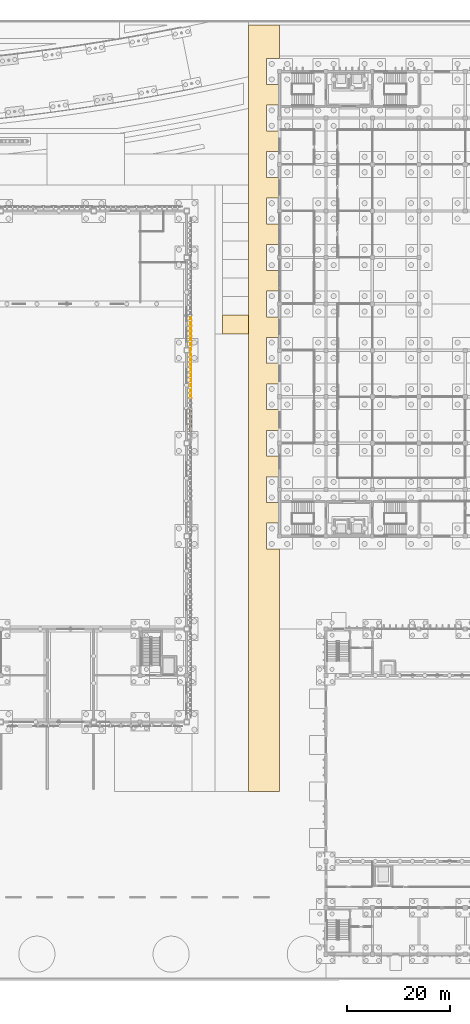
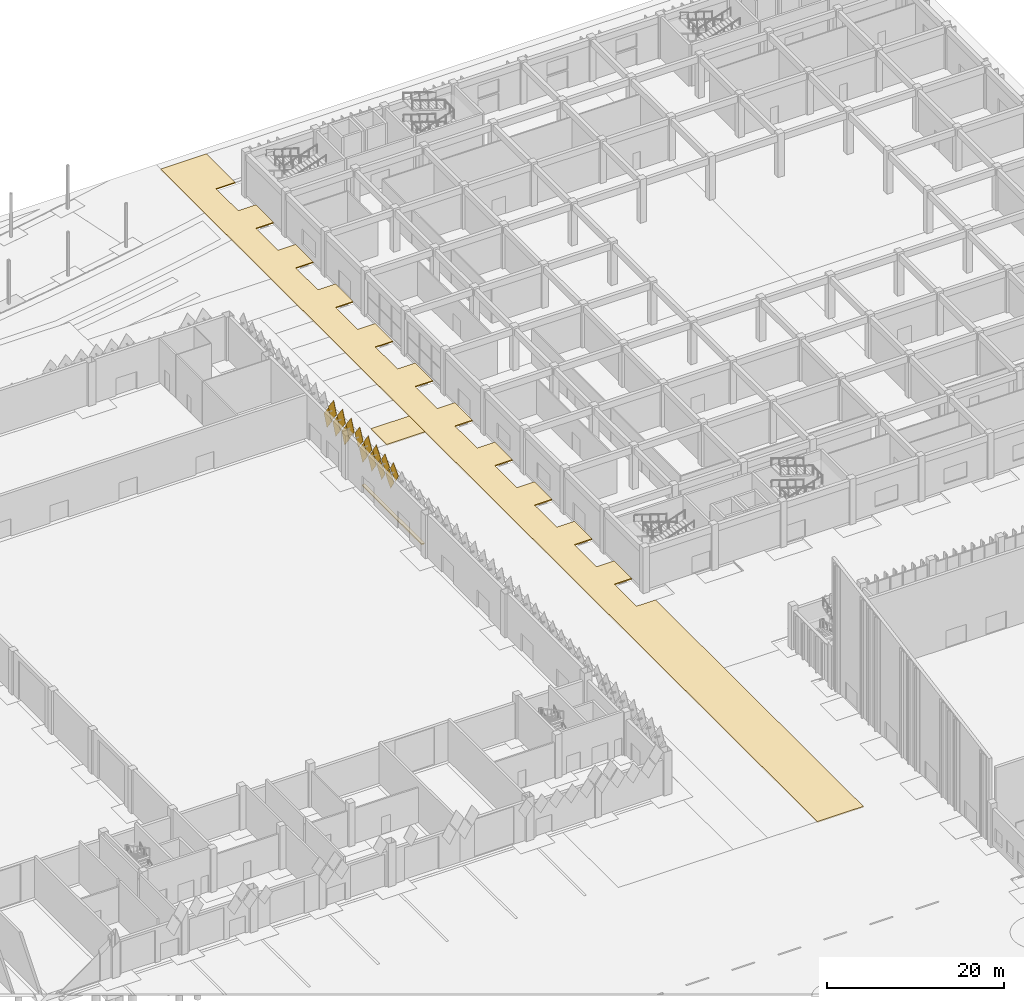
# One storey, part 187 of 198: 18 coverings.
"""IFC4 building model written with IfcOpenShell, lengths in metres."""

from ifc_helpers import new_model, si_unit, direction, frame, origin, place, context, subcontext, project, spatial, polyline, outline, extrude, material, layer, layer_set, material_profile, profile_set, type_object, element, save


model = new_model("IFC4")

# Units and contexts
model_context = context("Model", 3, precision=1e-05, world=origin(), true_north=direction((0.0, 1.0)))
body_context = subcontext(model_context, "Body", "Model", "MODEL_VIEW")
ifc_project = project(units=[si_unit("LENGTHUNIT", "METRE"), si_unit("AREAUNIT", "SQUARE_METRE"), si_unit("VOLUMEUNIT", "CUBIC_METRE"), si_unit("PLANEANGLEUNIT", "RADIAN"), si_unit("MASSUNIT", "GRAM", prefix="KILO")], contexts=[model_context])

# Site, building, storey
site_placement = place(None, origin())
site = spatial("IfcSite", under=ifc_project, at=site_placement, CompositionType="ELEMENT")
building_placement = place(site_placement, origin())
building = spatial("IfcBuilding", under=site, at=building_placement, Name="Opaline Strait Convention Centre", CompositionType="ELEMENT")
storey_placement = place(building_placement, origin())
storey = spatial("IfcBuildingStorey", under=building, at=storey_placement, Name="L00", CompositionType="ELEMENT", Elevation=0.0)

# Coverings
ifc_material_1 = material(Name="Asphalt road surfacing")
ifc_layer_1 = layer(ifc_material_1, 0.14990234375)
ifc_layer_set_1 = layer_set([ifc_layer_1], Name="Asphalt road surfacing")
covering_type_1 = type_object("IfcCoveringType", Name="Asphalt road surfacing 150", PredefinedType="FLOORING", material=ifc_layer_set_1)
covering_1_placement = place(storey_placement, frame((0.0, 0.0, -0.14990234375)))
element("IfcCovering", 1, at=covering_1_placement, inside=storey, type_object=covering_type_1, Name="Accessible Parking Bay 1 surfacing", PredefinedType="FLOORING", context=body_context, shape_type="SweptSolid", body=[
    extrude(outline(polyline([(268.0, 132.800048828125), (268.0, 129.199951171875), (273.0, 129.199951171875), (273.0, 132.800048828125), (268.0, 132.800048828125)])), origin(), (0.0, 0.0, 1.0), 0.14990234375),
])
ifc_material_2 = material(Name="White ceramic-faced aluminium tile", Category="aluminium")
ifc_material_profile_1 = material_profile(ifc_material_2, outline(polyline([(0.927978515625, 0.0), (0.0, 1.39208984375), (-0.927978515625, 0.0), (0.0, -1.39208984375), (0.927978515625, 0.0)])), Name="Diamond tile 1856x2784")
ifc_profile_set_1 = profile_set([ifc_material_profile_1], Name="White ceramic-faced aluminium tile")
covering_type_2 = type_object("IfcCoveringType", Name="Diamond wall tile 1856x2784x30 pivot 2.5 deg", PredefinedType="CLADDING", material=ifc_profile_set_1)
for number, where, z_axis, x_axis, name in (
    (2, (261.800048828125, 121.75, 4.39208984375), (0.998812351125, 0.0, -0.048722553713), (0.0, 1.0, 0.0), "Wall tile XT05 E"),
    (3, (261.800048828125, 120.75, 5.89208984375), (0.999174794796, 0.0, 0.040616861577), (0.0, 1.0, 0.0), "Wall tile XT05 E"),
    (4, (261.800048828125, 122.75, 5.89208984375), (0.998812351125, 0.0, -0.048722553713), (0.0, 1.0, 0.0), "Wall tile XT05 E"),
):
    element("IfcCovering", number, at=place(storey_placement, frame(where, z_axis=z_axis, x_axis=x_axis)), inside=storey, type_object=covering_type_2, Name=name, PredefinedType="CLADDING", context=body_context, shape_type="SweptSolid", body=[
        extrude(outline(polyline([(0.927978515625, 0.0), (0.0, 1.39208984375), (-0.927978515625, 0.0), (0.0, -1.39208984375), (0.927978515625, 0.0)])), origin(), (0.0, 0.0, 1.0), 0.030029296875),
    ])
ifc_material_profile_2 = material_profile(ifc_material_2, outline(polyline([(0.927978515625, 0.0), (0.0, 1.39208984375), (-0.927978515625, 0.0), (0.0, -1.39208984375), (0.927978515625, 0.0)])), Name="Diamond tile 1856x2784")
ifc_profile_set_2 = profile_set([ifc_material_profile_2], Name="White ceramic-faced aluminium tile")
covering_type_3 = type_object("IfcCoveringType", Name="Diamond wall tile 1856x2784x30 pivot 3 deg", PredefinedType="CLADDING", material=ifc_profile_set_2)
covering_2_placement = place(storey_placement, frame((261.800048828125, 119.75, 4.39208984375), z_axis=(0.998812351125, 0.0, 0.048722553713), x_axis=(0.0, 1.0, 0.0)))
element("IfcCovering", 5, at=covering_2_placement, inside=storey, type_object=covering_type_3, Name="Wall tile XT06 E", PredefinedType="CLADDING", context=body_context, shape_type="SweptSolid", body=[
    extrude(outline(polyline([(0.927978515625, 0.0), (0.0, 1.39208984375), (-0.927978515625, 0.0), (0.0, -1.39208984375), (0.927978515625, 0.0)])), origin(), (0.0, 0.0, 1.0), 0.030029296875),
])
ifc_material_profile_3 = material_profile(ifc_material_2, outline(polyline([(0.927978515625, 0.0), (0.0, 1.39208984375), (-0.927978515625, 0.0), (0.0, -1.39208984375), (0.927978515625, 0.0)])), Name="Diamond tile 1856x2784")
ifc_profile_set_3 = profile_set([ifc_material_profile_3], Name="White ceramic-faced aluminium tile")
covering_type_4 = type_object("IfcCoveringType", Name="Diamond wall tile 1856x2784x30 pivot 3.5 deg", PredefinedType="CLADDING", material=ifc_profile_set_3)
for number, where, z_axis, x_axis, name in (
    (6, (261.800048828125, 117.75, 4.39208984375), (0.99835799028, 0.0, 0.057282835508), (0.0, 1.0, 0.0), "Wall tile XT07 E"),
    (7, (261.800048828125, 118.75, 5.89208984375), (0.99835799028, 0.0, 0.057282835508), (0.0, 1.0, 0.0), "Wall tile XT07 E"),
):
    element("IfcCovering", number, at=place(storey_placement, frame(where, z_axis=z_axis, x_axis=x_axis)), inside=storey, type_object=covering_type_4, Name=name, PredefinedType="CLADDING", context=body_context, shape_type="SweptSolid", body=[
        extrude(outline(polyline([(0.927978515625, 0.0), (0.0, 1.39208984375), (-0.927978515625, 0.0), (0.0, -1.39208984375), (0.927978515625, 0.0)])), origin(), (0.0, 0.0, 1.0), 0.02978515625),
    ])
ifc_material_profile_4 = material_profile(ifc_material_2, outline(polyline([(0.927978515625, 0.0), (0.0, 1.39208984375), (-0.927978515625, 0.0), (0.0, -1.39208984375), (0.927978515625, 0.0)])), Name="Diamond tile 1856x2784")
ifc_profile_set_4 = profile_set([ifc_material_profile_4], Name="White ceramic-faced aluminium tile")
covering_type_5 = type_object("IfcCoveringType", Name="Diamond wall tile 1856x2784x30 pivot 4 deg", PredefinedType="CLADDING", material=ifc_profile_set_4)
covering_3_placement = place(storey_placement, frame((261.800048828125, 124.75, 5.89208984375), z_axis=(0.997290013252, 0.0, -0.073570574748), x_axis=(0.0, 1.0, 0.0)))
element("IfcCovering", 8, at=covering_3_placement, inside=storey, type_object=covering_type_5, Name="Wall tile XT08 E", PredefinedType="CLADDING", context=body_context, shape_type="SweptSolid", body=[
    extrude(outline(polyline([(0.927978515625, 0.0), (0.0, 1.39208984375), (-0.927978515625, 0.0), (0.0, -1.39208984375), (0.927978515625, 0.0)])), origin(), (0.0, 0.0, 1.0), 0.02978515625),
])
ifc_material_profile_5 = material_profile(ifc_material_2, outline(polyline([(0.927978515625, 0.0), (0.0, 1.39208984375), (-0.927978515625, 0.0), (0.0, -1.39208984375), (0.927978515625, 0.0)])), Name="Diamond tile 1856x2784")
ifc_profile_set_5 = profile_set([ifc_material_profile_5], Name="White ceramic-faced aluminium tile")
covering_type_6 = type_object("IfcCoveringType", Name="Diamond wall tile 1856x2784x30 pivot 4.5 deg", PredefinedType="CLADDING", material=ifc_profile_set_5)
covering_4_placement = place(storey_placement, frame((261.800048828125, 123.75, 4.39208984375), z_axis=(0.996657521232, 0.0, -0.081693239445), x_axis=(0.0, 1.0, 0.0)))
element("IfcCovering", 9, at=covering_4_placement, inside=storey, type_object=covering_type_6, Name="Wall tile XT09 E", PredefinedType="CLADDING", context=body_context, shape_type="SweptSolid", body=[
    extrude(outline(polyline([(0.927978515625, 0.0), (0.0, 1.39208984375), (-0.927978515625, 0.0), (0.0, -1.39208984375), (0.927978515625, 0.0)])), origin(), (0.0, 0.0, 1.0), 0.02978515625),
])
ifc_material_profile_6 = material_profile(ifc_material_2, outline(polyline([(0.927978515625, 0.0), (0.0, 1.39208984375), (-0.927978515625, 0.0), (0.0, -1.39208984375), (0.927978515625, 0.0)])), Name="Diamond tile 1856x2784")
ifc_profile_set_6 = profile_set([ifc_material_profile_6], Name="White ceramic-faced aluminium tile")
covering_type_7 = type_object("IfcCoveringType", Name="Diamond wall tile 1856x2784x30 pivot 5.5 deg", PredefinedType="CLADDING", material=ifc_profile_set_6)
covering_5_placement = place(storey_placement, frame((261.800048828125, 126.75, 5.89208984375), z_axis=(0.995197410875, 0.0, -0.097888269922), x_axis=(0.0, 1.0, 0.0)))
element("IfcCovering", 10, at=covering_5_placement, inside=storey, type_object=covering_type_7, Name="Wall tile XT11 E", PredefinedType="CLADDING", context=body_context, shape_type="SweptSolid", body=[
    extrude(outline(polyline([(0.927978515625, 0.0), (0.0, 1.39208984375), (-0.927978515625, 0.0), (0.0, -1.39208984375), (0.927978515625, 0.0)])), origin(), (0.0, 0.0, 1.0), 0.030029296875),
])
ifc_material_profile_7 = material_profile(ifc_material_2, outline(polyline([(0.927978515625, 0.0), (0.0, 1.39208984375), (-0.927978515625, 0.0), (0.0, -1.39208984375), (0.927978515625, 0.0)])), Name="Diamond tile 1856x2784")
ifc_profile_set_7 = profile_set([ifc_material_profile_7], Name="White ceramic-faced aluminium tile")
covering_type_8 = type_object("IfcCoveringType", Name="Diamond wall tile 1856x2784x30 pivot 6 deg", PredefinedType="CLADDING", material=ifc_profile_set_7)
for number, where, z_axis, x_axis, name in (
    (11, (261.800048828125, 131.75, 4.39208984375), (0.994370656274, 0.0, -0.105957528947), (0.0, 1.0, 0.0), "Wall tile XT12 E"),
    (12, (261.800048828125, 116.75, 5.89208984375), (0.995197410875, 0.0, 0.097888269922), (0.0, 1.0, 0.0), "Wall tile XT12 E"),
):
    element("IfcCovering", number, at=place(storey_placement, frame(where, z_axis=z_axis, x_axis=x_axis)), inside=storey, type_object=covering_type_8, Name=name, PredefinedType="CLADDING", context=body_context, shape_type="SweptSolid", body=[
        extrude(outline(polyline([(0.927978515625, 0.0), (0.0, 1.39208984375), (-0.927978515625, 0.0), (0.0, -1.39208984375), (0.927978515625, 0.0)])), origin(), (0.0, 0.0, 1.0), 0.030029296875),
    ])
ifc_material_profile_8 = material_profile(ifc_material_2, outline(polyline([(0.927978515625, 0.0), (0.0, 1.39208984375), (-0.927978515625, 0.0), (0.0, -1.39208984375), (0.927978515625, 0.0)])), Name="Diamond tile 1856x2784")
ifc_profile_set_8 = profile_set([ifc_material_profile_8], Name="White ceramic-faced aluminium tile")
covering_type_9 = type_object("IfcCoveringType", Name="Diamond wall tile 1856x2784x30 pivot 6.5 deg", PredefinedType="CLADDING", material=ifc_profile_set_8)
for number, where, z_axis, x_axis, name in (
    (13, (261.800048828125, 127.75, 4.39208984375), (0.993480071526, 0.0, -0.114005909847), (0.0, 1.0, 0.0), "Wall tile XT13 E"),
    (14, (261.800048828125, 129.75, 4.39208984375), (0.993480071526, 0.0, -0.114005909847), (0.0, 1.0, 0.0), "Wall tile XT13 E"),
    (15, (261.800048828125, 128.75, 5.89208984375), (0.993480071526, 0.0, -0.114005909847), (0.0, 1.0, 0.0), "Wall tile XT13 E"),
    (16, (261.800048828125, 130.75, 5.89208984375), (0.993480071526, 0.0, -0.114005909847), (0.0, 1.0, 0.0), "Wall tile XT13 E"),
):
    element("IfcCovering", number, at=place(storey_placement, frame(where, z_axis=z_axis, x_axis=x_axis)), inside=storey, type_object=covering_type_9, Name=name, PredefinedType="CLADDING", context=body_context, shape_type="SweptSolid", body=[
        extrude(outline(polyline([(0.927978515625, 0.0), (0.0, 1.39208984375), (-0.927978515625, 0.0), (0.0, -1.39208984375), (0.927978515625, 0.0)])), origin(), (0.0, 0.0, 1.0), 0.030029296875),
    ])
ifc_material_3 = material(Name="Concrete C30 red oxide", Category="concrete")
ifc_layer_2 = layer(ifc_material_3, 0.14990234375)
ifc_layer_set_2 = layer_set([ifc_layer_2], Name="Concrete C30 red oxide")
covering_type_10 = type_object("IfcCoveringType", Name="Fire lane concrete paving 150 C30", PredefinedType="FLOORING", material=ifc_layer_set_2)
covering_6_placement = place(storey_placement, frame((0.0, 0.0, -0.14990234375)))
element("IfcCovering", 17, at=covering_6_placement, inside=storey, type_object=covering_type_10, Name="External Fire Appliance Lane East surfacing", PredefinedType="FLOORING", context=body_context, shape_type="SweptSolid", body=[
    extrude(outline(polyline([(279.0, 189.0), (273.0, 189.0), (273.0, 40.5), (279.0, 40.5), (279.0, 87.4951171875), (276.4951171875, 87.4951171875), (276.4951171875, 92.5048828125), (278.794921875, 92.5048828125), (278.794921875, 96.4951171875), (276.4951171875, 96.4951171875), (276.4951171875, 101.5048828125), (278.794921875, 101.5048828125), (278.794921875, 105.4951171875), (276.4951171875, 105.4951171875), (276.4951171875, 110.5048828125), (278.794921875, 110.5048828125), (278.794921875, 114.4951171875), (276.4951171875, 114.4951171875), (276.4951171875, 119.5048828125), (278.794921875, 119.5048828125), (278.794921875, 123.4951171875), (276.4951171875, 123.4951171875), (276.4951171875, 128.5048828125), (278.794921875, 128.5048828125), (278.794921875, 132.4951171875), (276.4951171875, 132.4951171875), (276.4951171875, 137.5048828125), (278.794921875, 137.5048828125), (278.794921875, 141.4951171875), (276.4951171875, 141.4951171875), (276.4951171875, 146.5048828125), (278.794921875, 146.5048828125), (278.794921875, 150.4951171875), (276.4951171875, 150.4951171875), (276.4951171875, 155.5048828125), (278.794921875, 155.5048828125), (278.794921875, 159.4951171875), (276.4951171875, 159.4951171875), (276.4951171875, 164.5048828125), (278.794921875, 164.5048828125), (278.794921875, 168.4951171875), (276.4951171875, 168.4951171875), (276.4951171875, 173.5048828125), (278.794921875, 173.5048828125), (278.794921875, 177.4951171875), (276.4951171875, 177.4951171875), (276.4951171875, 182.5048828125), (279.0, 182.5048828125), (279.0, 189.0)])), origin(), (0.0, 0.0, 1.0), 0.14990234375),
])
ifc_material_4 = material(Name="Concrete C30 exposed aggregate", Category="concrete")
ifc_layer_3 = layer(ifc_material_4, 0.14990234375)
ifc_layer_set_3 = layer_set([ifc_layer_3], Name="Concrete C30 exposed aggregate")
covering_type_11 = type_object("IfcCoveringType", Name="Site paving 150", PredefinedType="FLOORING", material=ifc_layer_set_3)
covering_7_placement = place(storey_placement, frame((0.0, 0.0, -0.14990234375)))
element("IfcCovering", 18, at=covering_7_placement, inside=storey, type_object=covering_type_11, Name="Site paving surfacing", PredefinedType="FLOORING", context=body_context, shape_type="SweptSolid", body=[
    extrude(outline(polyline([(261.60498046875, 110.2548828125), (262.0, 110.2548828125), (262.0, 123.7451171875), (261.60498046875, 123.7451171875), (261.60498046875, 110.2548828125)])), origin(), (0.0, 0.0, 1.0), 0.14990234375),
])

save(model, "model.ifc")
